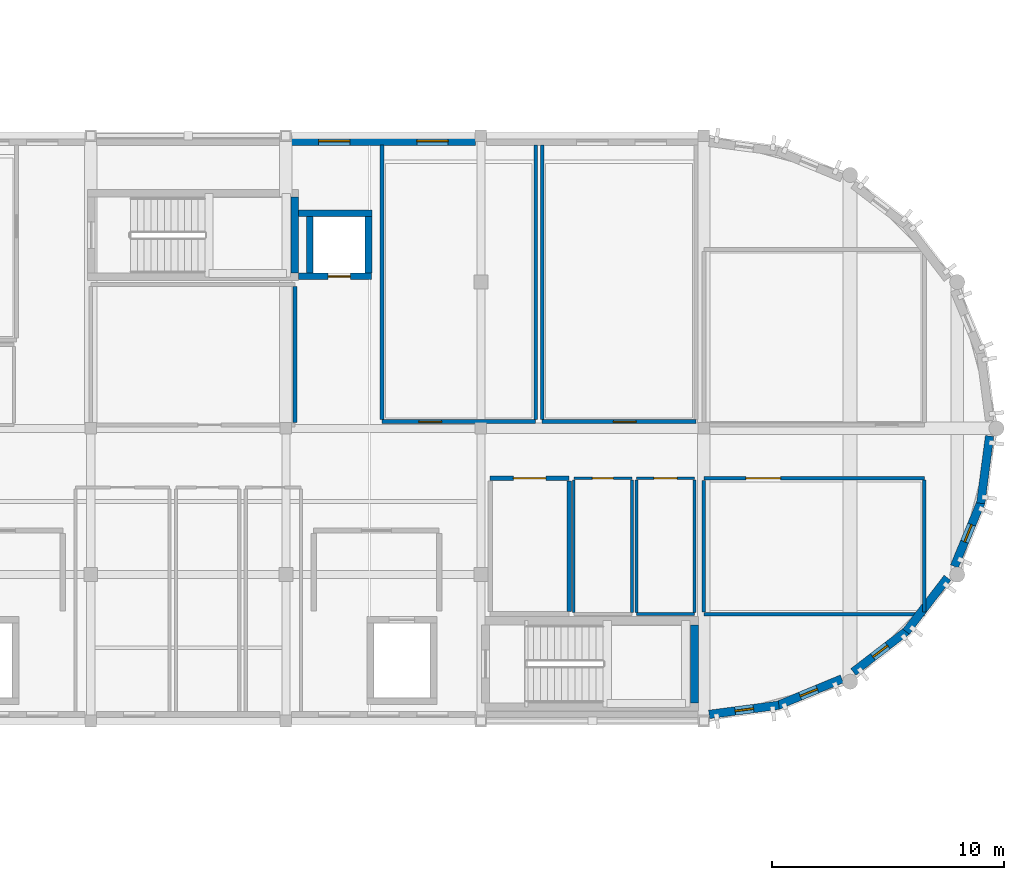
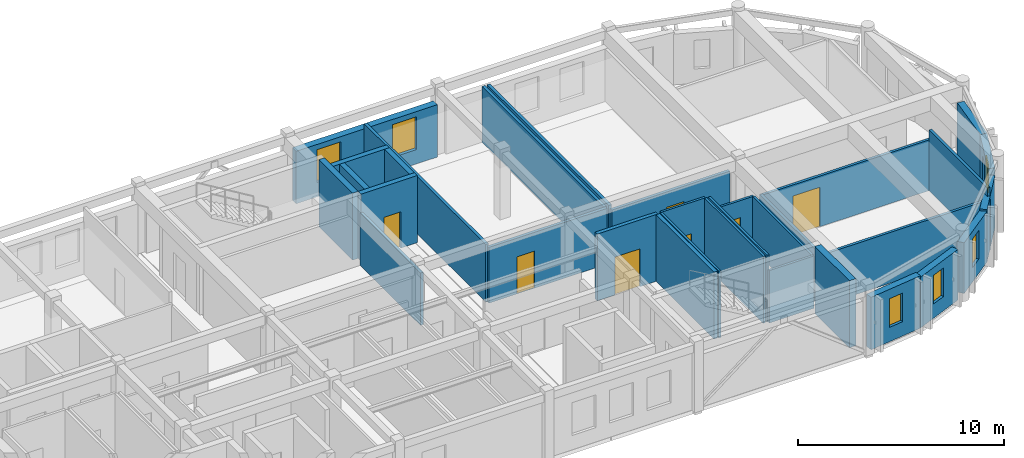
# One storey, part 6 of 12: 32 walls, 7 doors, 6 windows, 13 openings.
"""IFC4 building model written with IfcOpenShell, lengths in metres."""

from ifc_helpers import new_model, si_unit, direction, frame, frame_2d, origin, place, context, subcontext, project, spatial, rectangle, extrude, material, layer, layer_set, type_object, element, fill, save


model = new_model("IFC4")

# Units and contexts
model_context = context("Model", 3, precision=1e-05, world=origin(), true_north=direction((0.0, 1.0)))
body_context = subcontext(model_context, "Body", "Model", "MODEL_VIEW")
ifc_project = project(units=[si_unit("LENGTHUNIT", "METRE"), si_unit("AREAUNIT", "SQUARE_METRE"), si_unit("VOLUMEUNIT", "CUBIC_METRE"), si_unit("PLANEANGLEUNIT", "RADIAN"), si_unit("MASSUNIT", "GRAM", prefix="KILO")], contexts=[model_context])

# Site, building, storey
site_placement = place(None, origin())
site = spatial("IfcSite", under=ifc_project, at=site_placement, CompositionType="ELEMENT")
building_placement = place(site_placement, origin())
building = spatial("IfcBuilding", under=site, at=building_placement, Name="Tarnavel Promenade Courthouse", CompositionType="ELEMENT")
storey_placement = place(building_placement, frame((0.0, 0.0, 27.0)))
storey = spatial("IfcBuildingStorey", under=building, at=storey_placement, Name="L07", CompositionType="ELEMENT", Elevation=27.0)

# Wall
ifc_material_1 = material(Name="Acoustic Insulated Gypsum Stud Partition", Category="gypsum")
ifc_layer_1 = layer(ifc_material_1, 0.1650390625)
ifc_layer_set_1 = layer_set([ifc_layer_1], Name="Acoustic Insulated Gypsum Stud Partition")
wall_type_1 = type_object("IfcWallType", Name="Acoustic Insulated Gypsum Stud Partition WL-CHM-165 (165 mm)", PredefinedType="PARTITIONING", material=ifc_layer_set_1)
wall_1_placement = place(storey_placement, frame((84.39990234375, 97.907470703125, 0.0), z_axis=(0.0, 0.0, 1.0), x_axis=(0.0, -1.0, 0.0)))
element("IfcWall", 1, at=wall_1_placement, inside=storey, type_object=wall_type_1, Name="L07 L07 Judicial Panel Deliberation Salon Partition 0882", PredefinedType="PARTITIONING", context=body_context, shape_type="SweptSolid", body=[
    extrude(rectangle(XDim=5.864990234375, YDim=0.1650390625, at=frame_2d((2.9326171875, 0.0))), origin(), (0.0, 0.0, 1.0), 3.110107421875),
])

# Wall, opening, door
wall_2_placement = place(storey_placement, frame((94.760009765625, 92.090087890625, 0.0), z_axis=(0.0, 0.0, 1.0), x_axis=(-1.0, 0.0, 0.0)))
wall_2 = element("IfcWall", 2, at=wall_2_placement, inside=storey, type_object=wall_type_1, Name="L07 Appellate Judges' Chambers L07 Suite B Partition 0883", PredefinedType="PARTITIONING", context=body_context, shape_type="SweptSolid", body=[
    extrude(rectangle(XDim=6.6201171875, YDim=0.1650390625, at=frame_2d((3.31005859375, 0.0))), origin(), (0.0, 0.0, 1.0), 3.31005859375),
])
opening_1_placement = place(wall_2_placement, frame((4.054931640625, 0.0, 0.0)))
opening_1 = element("IfcOpeningElement", 3, at=opening_1_placement, cuts=wall_2, Name="Opening ID-04", PredefinedType="OPENING", context=body_context, shape_type="SweptSolid", body=[
    extrude(rectangle(XDim=0.97998046875, YDim=2.199951171875, at=frame_2d((0.489990234375, 1.10009765625))), frame((0.0, 0.092529296875, 0.0), z_axis=(0.0, -1.0, 0.0), x_axis=(1.0, 0.0, 0.0)), (0.0, 0.0, 1.0), 0.18505859375),
])
ifc_material_2 = material(Name="Solid Oak Judges Chambers Door")
door_type_1 = type_object("IfcDoorType", Name="Solid Oak Judges Chambers Door (DR-CHM-0980x2200)", OperationType="NOTDEFINED", PredefinedType="DOOR", material=ifc_material_2)
door_1_placement = place(opening_1_placement, origin())
door_1 = element("IfcDoor", 4, at=door_1_placement, inside=storey, type_object=door_type_1, Name="L07 Appellate Judges' Chambers L07 Suite B Door 0252", OperationType="SINGLE_SWING_LEFT", OverallHeight=2.199951171875, OverallWidth=0.97998046875, PredefinedType="DOOR", context=body_context, shape_type="SweptSolid", body=[
    extrude(rectangle(XDim=0.97998046875, YDim=2.199951171875, at=frame_2d((0.489990234375, 1.10009765625))), frame((0.0, 0.02490234375, 0.0), z_axis=(0.0, -1.0, 0.0), x_axis=(1.0, 0.0, 0.0)), (0.0, 0.0, 1.0), 0.050048828125),
])
fill(opening_1, door_1)

# Walls
wall_3_placement = place(storey_placement, frame((88.139892578125, 92.1826171875, 0.0), z_axis=(0.0, 0.0, 1.0), x_axis=(0.0, 1.0, 0.0)))
element("IfcWall", 5, at=wall_3_placement, inside=storey, type_object=wall_type_1, Name="L07 Appellate Judges' Chambers L07 Suite B Partition 0884", PredefinedType="PARTITIONING", context=body_context, shape_type="SweptSolid", body=[
    extrude(rectangle(XDim=11.8134765625, YDim=0.1650390625, at=frame_2d((5.90673828125, 0.0))), origin(), (0.0, 0.0, 1.0), 3.409912109375),
])
wall_4_placement = place(storey_placement, frame((94.760009765625, 103.99609375, 0.0), z_axis=(0.0, 0.0, 1.0), x_axis=(0.0, -1.0, 0.0)))
element("IfcWall", 6, at=wall_4_placement, inside=storey, type_object=wall_type_1, Name="L07 Appellate Judges' Chambers L07 Suite B Partition 0885", PredefinedType="PARTITIONING", context=body_context, shape_type="SweptSolid", body=[
    extrude(rectangle(XDim=11.8134765625, YDim=0.1650390625, at=frame_2d((5.90673828125, 0.0))), origin(), (0.0, 0.0, 1.0), 3.31005859375),
])

# Wall, opening, door
wall_5_placement = place(storey_placement, frame((101.659912109375, 92.090087890625, 0.0), z_axis=(0.0, 0.0, 1.0), x_axis=(-1.0, 0.0, 0.0)))
wall_5 = element("IfcWall", 7, at=wall_5_placement, inside=storey, type_object=wall_type_1, Name="L07 Appellate Judges' Chambers L07 Suite C Partition 0886", PredefinedType="PARTITIONING", context=body_context, shape_type="SweptSolid", body=[
    extrude(rectangle(XDim=6.619873046875, YDim=0.1650390625, at=frame_2d((3.31005859375, 0.0))), origin(), (0.0, 0.0, 1.0), 3.110107421875),
])
opening_2_placement = place(wall_5_placement, frame((2.572998046875, 0.0, 0.0)))
opening_2 = element("IfcOpeningElement", 8, at=opening_2_placement, cuts=wall_5, Name="Opening ID-04", PredefinedType="OPENING", context=body_context, shape_type="SweptSolid", body=[
    extrude(rectangle(XDim=0.97998046875, YDim=2.199951171875, at=frame_2d((0.489990234375, 1.10009765625))), frame((0.0, 0.092529296875, 0.0), z_axis=(0.0, -1.0, 0.0), x_axis=(1.0, 0.0, 0.0)), (0.0, 0.0, 1.0), 0.18505859375),
])
door_2_placement = place(opening_2_placement, origin())
door_2 = element("IfcDoor", 9, at=door_2_placement, inside=storey, type_object=door_type_1, Name="L07 Appellate Judges' Chambers L07 Suite C Door 0253", OperationType="SINGLE_SWING_RIGHT", OverallHeight=2.199951171875, OverallWidth=0.97998046875, PredefinedType="DOOR", context=body_context, shape_type="SweptSolid", body=[
    extrude(rectangle(XDim=0.97998046875, YDim=2.199951171875, at=frame_2d((0.489990234375, 1.10009765625))), frame((0.0, 0.02490234375, 0.0), z_axis=(0.0, -1.0, 0.0), x_axis=(1.0, 0.0, 0.0)), (0.0, 0.0, 1.0), 0.050048828125),
])
fill(opening_2, door_2)

# Wall
wall_6_placement = place(storey_placement, frame((95.0400390625, 92.1826171875, 0.0), z_axis=(0.0, 0.0, 1.0), x_axis=(0.0, 1.0, 0.0)))
element("IfcWall", 10, at=wall_6_placement, inside=storey, type_object=wall_type_1, Name="L07 Appellate Judges' Chambers L07 Suite C Partition 0887", PredefinedType="PARTITIONING", context=body_context, shape_type="SweptSolid", body=[
    extrude(rectangle(XDim=11.8134765625, YDim=0.1650390625, at=frame_2d((5.90673828125, 0.0))), origin(), (0.0, 0.0, 1.0), 3.31005859375),
])

# Wall, opening, door
ifc_layer_2 = layer(ifc_material_1, 0.14990234375)
ifc_layer_set_2 = layer_set([ifc_layer_2], Name="Acoustic Insulated Gypsum Stud Partition")
wall_type_2 = type_object("IfcWallType", Name="Acoustic Insulated Gypsum Stud Partition WL-LIB-150 (150 mm)", PredefinedType="PARTITIONING", material=ifc_layer_set_2)
wall_7_placement = place(storey_placement, frame((102.0, 89.64990234375, 0.0), z_axis=(0.0, 0.0, 1.0), x_axis=(1.0, 0.0, 0.0)))
wall_7 = element("IfcWall", 11, at=wall_7_placement, inside=storey, type_object=wall_type_2, Name="L07 L07 East Drum Collegium Reference Room Partition 0910", PredefinedType="PARTITIONING", context=body_context, shape_type="SweptSolid", body=[
    extrude(rectangle(XDim=9.5, YDim=0.14990234375, at=frame_2d((4.75, 0.0))), origin(), (0.0, 0.0, 1.0), 3.010009765625),
])
opening_3_placement = place(wall_7_placement, frame((1.81005859375, 0.0, 0.0)))
opening_3 = element("IfcOpeningElement", 12, at=opening_3_placement, cuts=wall_7, Name="Opening ID-05", PredefinedType="OPENING", context=body_context, shape_type="SweptSolid", body=[
    extrude(rectangle(XDim=1.5, YDim=2.35009765625, at=frame_2d((0.75, 1.175048828125))), frame((0.0, 0.0849609375, 0.0), z_axis=(0.0, -1.0, 0.0), x_axis=(1.0, 0.0, 0.0)), (0.0, 0.0, 1.0), 0.169921875),
])
ifc_material_3 = material(Name="Glazed Oak Law Library Double Door")
door_type_2 = type_object("IfcDoorType", Name="Glazed Oak Law Library Double Door (DR-LIB-1500x2350)", OperationType="NOTDEFINED", PredefinedType="DOOR", material=ifc_material_3)
door_3_placement = place(opening_3_placement, origin())
door_3 = element("IfcDoor", 13, at=door_3_placement, inside=storey, type_object=door_type_2, Name="L07 L07 East Drum Collegium Reference Room Door 0260", OperationType="DOUBLE_DOOR_SINGLE_SWING", OverallHeight=2.35009765625, OverallWidth=1.5, PredefinedType="DOOR", context=body_context, shape_type="SweptSolid", body=[
    extrude(rectangle(XDim=1.5, YDim=2.35009765625, at=frame_2d((0.75, 1.175048828125))), frame((0.0, 0.02490234375, 0.0), z_axis=(0.0, -1.0, 0.0), x_axis=(1.0, 0.0, 0.0)), (0.0, 0.0, 1.0), 0.050048828125),
])
fill(opening_3, door_3)

# Walls
wall_8_placement = place(storey_placement, frame((111.5, 83.800048828125, 0.0), z_axis=(0.0, 0.0, 1.0), x_axis=(-1.0, 0.0, 0.0)))
element("IfcWall", 14, at=wall_8_placement, inside=storey, type_object=wall_type_2, Name="L07 L07 East Drum Collegium Reference Room Partition 0911", PredefinedType="PARTITIONING", context=body_context, shape_type="SweptSolid", body=[
    extrude(rectangle(XDim=9.5, YDim=0.14990234375, at=frame_2d((4.75, 0.0))), origin(), (0.0, 0.0, 1.0), 3.010009765625),
])
wall_9_placement = place(storey_placement, frame((102.0, 83.885009765625, 0.0), z_axis=(0.0, 0.0, 1.0), x_axis=(0.0, 1.0, 0.0)))
element("IfcWall", 15, at=wall_9_placement, inside=storey, type_object=wall_type_2, Name="L07 L07 East Drum Collegium Reference Room Partition 0912", PredefinedType="PARTITIONING", context=body_context, shape_type="SweptSolid", body=[
    extrude(rectangle(XDim=5.679931640625, YDim=0.14990234375, at=frame_2d((2.83984375, 0.0))), origin(), (0.0, 0.0, 1.0), 3.110107421875),
])
wall_10_placement = place(storey_placement, frame((111.5, 89.56494140625, 0.0), z_axis=(0.0, 0.0, 1.0), x_axis=(0.0, -1.0, 0.0)))
element("IfcWall", 16, at=wall_10_placement, inside=storey, type_object=wall_type_2, Name="L07 L07 East Drum Collegium Reference Room Partition 0913", PredefinedType="PARTITIONING", context=body_context, shape_type="SweptSolid", body=[
    extrude(rectangle(XDim=5.679931640625, YDim=0.14990234375, at=frame_2d((2.83984375, 0.0))), origin(), (0.0, 0.0, 1.0), 3.610107421875),
])
ifc_material_4 = material(Name="Concrete C40/50", Category="concrete")
ifc_layer_3 = layer(ifc_material_4, 0.280029296875)
ifc_layer_set_3 = layer_set([ifc_layer_3], Name="Concrete C40/50")
wall_type_3 = type_object("IfcWallType", Name="Concrete C40/50 WL-SHR-280 (280 mm)", PredefinedType="SHEAR", material=ifc_layer_set_3)
wall_11_placement = place(storey_placement, frame((84.5400390625, 101.06005859375, 0.0), z_axis=(0.0, 0.0, 1.0), x_axis=(1.0, 0.0, 0.0)))
element("IfcWall", 17, at=wall_11_placement, inside=storey, type_object=wall_type_3, Name="L07 L-JUD1 Lift Shaft North Wall", PredefinedType="SHEAR", context=body_context, shape_type="SweptSolid", body=[
    extrude(rectangle(XDim=3.159912109375, YDim=0.280029296875, at=frame_2d((1.580078125, 0.0))), origin(), (0.0, 0.0, 1.0), 3.97998046875),
])

# Wall, opening, door
wall_12_placement = place(storey_placement, frame((87.699951171875, 98.340087890625, 0.0), z_axis=(0.0, 0.0, 1.0), x_axis=(-1.0, 0.0, 0.0)))
wall_12 = element("IfcWall", 18, at=wall_12_placement, inside=storey, type_object=wall_type_3, Name="L07 L-JUD1 Lift Shaft South Wall", PredefinedType="SHEAR", context=body_context, shape_type="SweptSolid", body=[
    extrude(rectangle(XDim=3.159912109375, YDim=0.280029296875, at=frame_2d((1.580078125, 0.0))), origin(), (0.0, 0.0, 1.0), 3.97998046875),
])
opening_4_placement = place(wall_12_placement, frame((0.925048828125, 0.0, 0.0)))
opening_4 = element("IfcOpeningElement", 19, at=opening_4_placement, cuts=wall_12, Name="Opening LD-03", PredefinedType="OPENING", context=body_context, shape_type="SweptSolid", body=[
    extrude(rectangle(XDim=0.949951171875, YDim=2.14990234375, at=frame_2d((0.47509765625, 1.074951171875))), frame((0.0, 0.14990234375, 0.0), z_axis=(0.0, -1.0, 0.0), x_axis=(1.0, 0.0, 0.0)), (0.0, 0.0, 1.0), 0.300048828125),
])
ifc_material_5 = material(Name="Stainless Steel Judicial Lift Landing Sliding Door", Category="steel")
door_type_3 = type_object("IfcDoorType", Name="Stainless Steel Judicial Lift Landing Sliding Door (LD-JUD-0950x2150)", OperationType="NOTDEFINED", PredefinedType="DOOR", material=ifc_material_5)
door_4_placement = place(opening_4_placement, origin())
door_4 = element("IfcDoor", 20, at=door_4_placement, inside=storey, type_object=door_type_3, Name="L07 L-JUD1 Lift Sliding Landing Door", OperationType="DOUBLE_DOOR_SLIDING", OverallHeight=2.14990234375, OverallWidth=0.949951171875, PredefinedType="DOOR", context=body_context, shape_type="SweptSolid", body=[
    extrude(rectangle(XDim=0.949951171875, YDim=2.14990234375, at=frame_2d((0.47509765625, 1.074951171875))), frame((0.0, 0.02490234375, 0.0), z_axis=(0.0, -1.0, 0.0), x_axis=(1.0, 0.0, 0.0)), (0.0, 0.0, 1.0), 0.050048828125),
])
fill(opening_4, door_4)

# Walls
for number, where, z_axis, x_axis, name in (
    (21, (85.0400390625, 98.47998046875, 0.0), (0.0, 0.0, 1.0), (0.0, 1.0, 0.0), "L07 L-JUD1 Lift Shaft West Wall"),
    (22, (87.56005859375, 100.919921875, 0.0), (0.0, 0.0, 1.0), (0.0, -1.0, 0.0), "L07 L-JUD1 Lift Shaft East Wall"),
):
    element("IfcWall", number, at=place(storey_placement, frame(where, z_axis=z_axis, x_axis=x_axis)), inside=storey, type_object=wall_type_3, Name=name, PredefinedType="SHEAR", context=body_context, shape_type="SweptSolid", body=[
        extrude(rectangle(XDim=2.43994140625, YDim=0.280029296875, at=frame_2d((1.219970703125, 0.0))), origin(), (0.0, 0.0, 1.0), 3.97998046875),
    ])
ifc_layer_4 = layer(ifc_material_4, 0.320068359375)
ifc_layer_set_4 = layer_set([ifc_layer_4], Name="Concrete C40/50")
wall_type_4 = type_object("IfcWallType", Name="Concrete C40/50 WL-SHR-320 (320 mm)", PredefinedType="SHEAR", material=ifc_layer_set_4)
wall_13_placement = place(storey_placement, frame((84.3798828125, 101.760009765625, 0.0), z_axis=(0.0, 0.0, 1.0), x_axis=(0.0, -1.0, 0.0)))
element("IfcWall", 23, at=wall_13_placement, inside=storey, type_object=wall_type_4, Name="L07 ST-03 Shear Core East Wall", PredefinedType="SHEAR", context=body_context, shape_type="SweptSolid", body=[
    extrude(rectangle(XDim=3.280029296875, YDim=0.320068359375, at=frame_2d((1.64013671875, 0.0))), origin(), (0.0, 0.0, 1.0), 3.97998046875),
])
ifc_layer_5 = layer(ifc_material_4, 0.360107421875)
ifc_layer_set_5 = layer_set([ifc_layer_5], Name="Concrete C40/50")
wall_type_5 = type_object("IfcWallType", Name="Concrete C40/50 WL-SHR-360 (360 mm)", PredefinedType="SHEAR", material=ifc_layer_set_5)
wall_14_placement = place(storey_placement, frame((101.60009765625, 83.340087890625, 0.0), z_axis=(0.0, 0.0, 1.0), x_axis=(0.0, -1.0, 0.0)))
element("IfcWall", 24, at=wall_14_placement, inside=storey, type_object=wall_type_5, Name="L07 ST-02 Shear Core East Wall", PredefinedType="SHEAR", context=body_context, shape_type="SweptSolid", body=[
    extrude(rectangle(XDim=3.360107421875, YDim=0.360107421875, at=frame_2d((1.68017578125, 0.0))), origin(), (0.0, 0.0, 1.0), 3.97998046875),
])

# Wall, opening, door
ifc_material_6 = material(Name="Concrete Masonry Fire Compartment Wall", Category="masonry")
ifc_layer_6 = layer(ifc_material_6, 0.205078125)
ifc_layer_set_6 = layer_set([ifc_layer_6], Name="Concrete Masonry Fire Compartment Wall")
wall_type_6 = type_object("IfcWallType", Name="Concrete Masonry Fire Compartment Wall WL-CMP-205 (205 mm)", PredefinedType="STANDARD", material=ifc_layer_set_6)
wall_15_placement = place(storey_placement, frame((92.800048828125, 89.64990234375, 0.0), z_axis=(0.0, 0.0, 1.0), x_axis=(1.0, 0.0, 0.0)))
wall_15 = element("IfcWall", 25, at=wall_15_placement, inside=storey, type_object=wall_type_6, Name="L07 L07 Court Transcript Records Room Partition 0868", PredefinedType="STANDARD", context=body_context, shape_type="SweptSolid", body=[
    extrude(rectangle(XDim=3.39990234375, YDim=0.205078125, at=frame_2d((1.699951171875, 0.0))), origin(), (0.0, 0.0, 1.0), 3.965087890625),
])
opening_5_placement = place(wall_15_placement, frame((1.0, 0.0, 0.0)))
opening_5 = element("IfcOpeningElement", 26, at=opening_5_placement, cuts=wall_15, Name="Opening FD-04", PredefinedType="OPENING", context=body_context, shape_type="SweptSolid", body=[
    extrude(rectangle(XDim=1.39990234375, YDim=2.25, at=frame_2d((0.699951171875, 1.125))), frame((0.0, 0.112548828125, 0.0), z_axis=(0.0, -1.0, 0.0), x_axis=(1.0, 0.0, 0.0)), (0.0, 0.0, 1.0), 0.22509765625),
])
ifc_material_7 = material(Name="Heavy Steel Plant Room Fire Door", Category="steel")
door_type_4 = type_object("IfcDoorType", Name="Heavy Steel Plant Room Fire Door (DR-PLT-1400x2250)", OperationType="NOTDEFINED", PredefinedType="DOOR", material=ifc_material_7)
door_5_placement = place(opening_5_placement, origin())
door_5 = element("IfcDoor", 27, at=door_5_placement, inside=storey, type_object=door_type_4, Name="L07 L07 Court Transcript Records Room Door 0248", OperationType="SINGLE_SWING_LEFT", OverallHeight=2.25, OverallWidth=1.39990234375, PredefinedType="DOOR", context=body_context, shape_type="SweptSolid", body=[
    extrude(rectangle(XDim=1.39990234375, YDim=2.25, at=frame_2d((0.699951171875, 1.125))), frame((0.0, 0.02490234375, 0.0), z_axis=(0.0, -1.0, 0.0), x_axis=(1.0, 0.0, 0.0)), (0.0, 0.0, 1.0), 0.050048828125),
])
fill(opening_5, door_5)

# Wall
wall_16_placement = place(storey_placement, frame((96.199951171875, 89.53759765625, 0.0), z_axis=(0.0, 0.0, 1.0), x_axis=(0.0, -1.0, 0.0)))
element("IfcWall", 28, at=wall_16_placement, inside=storey, type_object=wall_type_6, Name="L07 L07 Court Transcript Records Room Partition 0871", PredefinedType="STANDARD", context=body_context, shape_type="SweptSolid", body=[
    extrude(rectangle(XDim=5.625, YDim=0.205078125, at=frame_2d((2.8125, 0.0))), origin(), (0.0, 0.0, 1.0), 3.965087890625),
])

# Wall, openings, windows
ifc_material_8 = material(Name="Cream Brick Insulated Cavity Facade Assembly", Category="masonry")
ifc_layer_7 = layer(ifc_material_8, 0.3798828125)
ifc_layer_set_7 = layer_set([ifc_layer_7], Name="Cream Brick Insulated Cavity Facade Assembly")
wall_type_7 = type_object("IfcWallType", Name="Cream Brick Insulated Cavity Facade Assembly WL-EXT-380 (380 mm)", PredefinedType="STANDARD", material=ifc_layer_set_7)
wall_17_placement = place(storey_placement, frame((84.241943359375, 104.179931640625, 0.0), z_axis=(0.0, 0.0, 1.0), x_axis=(1.0, 0.0, 0.0)))
wall_17 = element("IfcWall", 29, at=wall_17_placement, inside=storey, type_object=wall_type_7, Name="L07 Bar North Limestone Facade 0173", PredefinedType="STANDARD", context=body_context, shape_type="SweptSolid", body=[
    extrude(rectangle(XDim=7.916015625, YDim=0.3798828125, at=frame_2d((3.9580078125, 0.0))), origin(), (0.0, 0.0, 1.0), 3.110107421875),
])
opening_6_placement = place(wall_17_placement, frame((1.169677734375, 0.0, 0.85009765625)))
opening_6 = element("IfcOpeningElement", 30, at=opening_6_placement, cuts=wall_17, Name="Opening W-04", PredefinedType="OPENING", context=body_context, shape_type="SweptSolid", body=[
    extrude(rectangle(XDim=1.35009765625, YDim=1.949951171875, at=frame_2d((0.675048828125, 0.97509765625))), frame((0.0, 0.199951171875, 0.0), z_axis=(0.0, -1.0, 0.0), x_axis=(1.0, 0.0, 0.0)), (0.0, 0.0, 1.0), 0.39990234375),
])
opening_7_placement = place(wall_17_placement, frame((5.396240234375, 0.0, 0.85009765625)))
opening_7 = element("IfcOpeningElement", 31, at=opening_7_placement, cuts=wall_17, Name="Opening W-04", PredefinedType="OPENING", context=body_context, shape_type="SweptSolid", body=[
    extrude(rectangle(XDim=1.35009765625, YDim=1.949951171875, at=frame_2d((0.675048828125, 0.97509765625))), frame((0.0, 0.199951171875, 0.0), z_axis=(0.0, -1.0, 0.0), x_axis=(1.0, 0.0, 0.0)), (0.0, 0.0, 1.0), 0.39990234375),
])
ifc_material_9 = material(Name="Triple Low-E Glazed Bronze-Clad Window Assembly")
window_type_1 = type_object("IfcWindowType", Name="Triple-Glazed Bronze-Clad Timber-Aluminium WIN-CHM-1350x1950", PartitioningType="SINGLE_PANEL", PredefinedType="WINDOW", material=ifc_material_9)
window_1_placement = place(opening_6_placement, origin())
window_1 = element("IfcWindow", 32, at=window_1_placement, inside=storey, type_object=window_type_1, Name="L07 Exterior Window 0139", OverallHeight=1.949951171875, OverallWidth=1.35009765625, PartitioningType="SINGLE_PANEL", PredefinedType="WINDOW", context=body_context, shape_type="SweptSolid", body=[
    extrude(rectangle(XDim=1.35009765625, YDim=1.949951171875, at=frame_2d((0.675048828125, 0.97509765625))), frame((0.0, 0.030029296875, 0.0), z_axis=(0.0, -1.0, 0.0), x_axis=(1.0, 0.0, 0.0)), (0.0, 0.0, 1.0), 0.06005859375),
])
fill(opening_6, window_1)
window_2_placement = place(opening_7_placement, origin())
window_2 = element("IfcWindow", 33, at=window_2_placement, inside=storey, type_object=window_type_1, Name="L07 Exterior Window 0140", OverallHeight=1.949951171875, OverallWidth=1.35009765625, PartitioningType="SINGLE_PANEL", PredefinedType="WINDOW", context=body_context, shape_type="SweptSolid", body=[
    extrude(rectangle(XDim=1.35009765625, YDim=1.949951171875, at=frame_2d((0.675048828125, 0.97509765625))), frame((0.0, 0.030029296875, 0.0), z_axis=(0.0, -1.0, 0.0), x_axis=(1.0, 0.0, 0.0)), (0.0, 0.0, 1.0), 0.06005859375),
])
fill(opening_7, window_2)

# Wall, opening, door
ifc_material_10 = material(Name="Moisture-Resistant Tile-Backed Stud Partition", Category="gypsum")
ifc_layer_8 = layer(ifc_material_10, 0.125)
ifc_layer_set_8 = layer_set([ifc_layer_8], Name="Moisture-Resistant Tile-Backed Stud Partition")
wall_type_8 = type_object("IfcWallType", Name="Moisture-Resistant Tile-Backed Stud Partition WL-WET-125 (125 mm)", PredefinedType="PARTITIONING", material=ifc_layer_set_8)
wall_18_placement = place(storey_placement, frame((96.39990234375, 89.64990234375, 0.0), z_axis=(0.0, 0.0, 1.0), x_axis=(1.0, 0.0, 0.0)))
wall_18 = element("IfcWall", 34, at=wall_18_placement, inside=storey, type_object=wall_type_8, Name="L07 Staff WC Partition 0856", PredefinedType="PARTITIONING", context=body_context, shape_type="SweptSolid", body=[
    extrude(rectangle(XDim=2.5, YDim=0.125, at=frame_2d((1.25, 0.0))), origin(), (0.0, 0.0, 1.0), 3.965087890625),
])
opening_8_placement = place(wall_18_placement, frame((0.800048828125, 0.0, 0.0)))
opening_8 = element("IfcOpeningElement", 35, at=opening_8_placement, cuts=wall_18, Name="Opening ID-08", PredefinedType="OPENING", context=body_context, shape_type="SweptSolid", body=[
    extrude(rectangle(XDim=0.89990234375, YDim=2.10009765625, at=frame_2d((0.449951171875, 1.050048828125))), frame((0.0, 0.072509765625, 0.0), z_axis=(0.0, -1.0, 0.0), x_axis=(1.0, 0.0, 0.0)), (0.0, 0.0, 1.0), 0.14501953125),
])
ifc_material_11 = material(Name="Moisture-Resistant Laminate Restroom Door")
door_type_5 = type_object("IfcDoorType", Name="Moisture-Resistant Laminate Restroom Door (DR-WC-0900x2100)", OperationType="NOTDEFINED", PredefinedType="DOOR", material=ifc_material_11)
door_6_placement = place(opening_8_placement, origin())
door_6 = element("IfcDoor", 36, at=door_6_placement, inside=storey, type_object=door_type_5, Name="L07 Staff WC Door 0245", OperationType="SINGLE_SWING_RIGHT", OverallHeight=2.10009765625, OverallWidth=0.89990234375, PredefinedType="DOOR", context=body_context, shape_type="SweptSolid", body=[
    extrude(rectangle(XDim=0.89990234375, YDim=2.10009765625, at=frame_2d((0.449951171875, 1.050048828125))), frame((0.0, 0.02490234375, 0.0), z_axis=(0.0, -1.0, 0.0), x_axis=(1.0, 0.0, 0.0)), (0.0, 0.0, 1.0), 0.050048828125),
])
fill(opening_8, door_6)

# Walls
for number, where, z_axis, x_axis, name in (
    (37, (96.39990234375, 83.87255859375, 0.0), (0.0, 0.0, 1.0), (0.0, 1.0, 0.0), "L07 Staff WC Partition 0858"),
    (38, (98.89990234375, 89.577392578125, 0.0), (0.0, 0.0, 1.0), (0.0, -1.0, 0.0), "L07 Staff WC Partition 0859"),
):
    element("IfcWall", number, at=place(storey_placement, frame(where, z_axis=z_axis, x_axis=x_axis)), inside=storey, type_object=wall_type_8, Name=name, PredefinedType="PARTITIONING", context=body_context, shape_type="SweptSolid", body=[
        extrude(rectangle(XDim=5.704833984375, YDim=0.125, at=frame_2d((2.8525390625, 0.0))), origin(), (0.0, 0.0, 1.0), 3.965087890625),
    ])

# Wall, opening, door
wall_19_placement = place(storey_placement, frame((99.10009765625, 89.64990234375, 0.0), z_axis=(0.0, 0.0, 1.0), x_axis=(1.0, 0.0, 0.0)))
wall_19 = element("IfcWall", 39, at=wall_19_placement, inside=storey, type_object=wall_type_8, Name="L07 Accessible Staff WC Partition 0860", PredefinedType="PARTITIONING", context=body_context, shape_type="SweptSolid", body=[
    extrude(rectangle(XDim=2.5, YDim=0.125, at=frame_2d((1.25, 0.0))), origin(), (0.0, 0.0, 1.0), 3.110107421875),
])
opening_9_placement = place(wall_19_placement, frame((0.75, 0.0, 0.0)))
opening_9 = element("IfcOpeningElement", 40, at=opening_9_placement, cuts=wall_19, Name="Opening ID-09", PredefinedType="OPENING", context=body_context, shape_type="SweptSolid", body=[
    extrude(rectangle(XDim=1.0, YDim=2.10009765625, at=frame_2d((0.5, 1.050048828125))), frame((0.0, 0.072509765625, 0.0), z_axis=(0.0, -1.0, 0.0), x_axis=(1.0, 0.0, 0.0)), (0.0, 0.0, 1.0), 0.14501953125),
])
ifc_material_12 = material(Name="Wide Accessible Restroom Outward Door")
door_type_6 = type_object("IfcDoorType", Name="Wide Accessible Restroom Outward Door (DR-AWC-1000x2100)", OperationType="NOTDEFINED", PredefinedType="DOOR", material=ifc_material_12)
door_7_placement = place(opening_9_placement, origin())
door_7 = element("IfcDoor", 41, at=door_7_placement, inside=storey, type_object=door_type_6, Name="L07 Accessible Staff WC Door 0246", OperationType="SINGLE_SWING_LEFT", OverallHeight=2.10009765625, OverallWidth=1.0, PredefinedType="DOOR", context=body_context, shape_type="SweptSolid", body=[
    extrude(rectangle(XDim=1.0, YDim=2.10009765625, at=frame_2d((0.5, 1.050048828125))), frame((0.0, 0.02490234375, 0.0), z_axis=(0.0, -1.0, 0.0), x_axis=(1.0, 0.0, 0.0)), (0.0, 0.0, 1.0), 0.050048828125),
])
fill(opening_9, door_7)

# Walls
wall_20_placement = place(storey_placement, frame((101.60009765625, 83.800048828125, 0.0), z_axis=(0.0, 0.0, 1.0), x_axis=(-1.0, 0.0, 0.0)))
element("IfcWall", 42, at=wall_20_placement, inside=storey, type_object=wall_type_8, Name="L07 Accessible Staff WC Partition 0861", PredefinedType="PARTITIONING", context=body_context, shape_type="SweptSolid", body=[
    extrude(rectangle(XDim=2.5, YDim=0.125, at=frame_2d((1.25, 0.0))), origin(), (0.0, 0.0, 1.0), 3.110107421875),
])
wall_21_placement = place(storey_placement, frame((99.10009765625, 83.87255859375, 0.0), z_axis=(0.0, 0.0, 1.0), x_axis=(0.0, 1.0, 0.0)))
element("IfcWall", 43, at=wall_21_placement, inside=storey, type_object=wall_type_8, Name="L07 Accessible Staff WC Partition 0862", PredefinedType="PARTITIONING", context=body_context, shape_type="SweptSolid", body=[
    extrude(rectangle(XDim=5.704833984375, YDim=0.125, at=frame_2d((2.8525390625, 0.0))), origin(), (0.0, 0.0, 1.0), 3.965087890625),
])
wall_22_placement = place(storey_placement, frame((101.60009765625, 89.577392578125, 0.0), z_axis=(0.0, 0.0, 1.0), x_axis=(0.0, -1.0, 0.0)))
element("IfcWall", 44, at=wall_22_placement, inside=storey, type_object=wall_type_8, Name="L07 Accessible Staff WC Partition 0863", PredefinedType="PARTITIONING", context=body_context, shape_type="SweptSolid", body=[
    extrude(rectangle(XDim=5.704833984375, YDim=0.125, at=frame_2d((2.8525390625, 0.0))), origin(), (0.0, 0.0, 1.0), 3.110107421875),
])

# Wall, opening, window
ifc_material_13 = material(Name="Patinated Copper-Bronze Insulated Drum Wall Assembly", Category="masonry")
ifc_layer_9 = layer(ifc_material_13, 0.364990234375)
ifc_layer_set_9 = layer_set([ifc_layer_9], Name="Patinated Copper-Bronze Insulated Drum Wall Assembly")
wall_type_9 = type_object("IfcWallType", Name="Patinated Copper-Bronze Insulated Drum Wall Assembly WL-DRUM-365 (365 mm)", PredefinedType="ELEMENTEDWALL", material=ifc_layer_set_9)
wall_23_placement = place(storey_placement, frame((102.22705078125, 79.48193359375, 0.0), z_axis=(0.0, 0.0, 1.0), x_axis=(0.991440016295, 0.130562988969, 0.0)))
wall_23 = element("IfcWall", 45, at=wall_23_placement, inside=storey, type_object=wall_type_9, Name="L07 E Copper Drum Chord Wall 01 0192", PredefinedType="ELEMENTEDWALL", context=body_context, shape_type="SweptSolid", body=[
    extrude(rectangle(XDim=3.02734375, YDim=0.364990234375, at=frame_2d((1.513671875, 0.0))), origin(), (0.0, 0.0, 1.0), 3.110107421875),
])
opening_10_placement = place(wall_23_placement, frame((1.127685546875, 0.0, 0.85009765625)))
opening_10 = element("IfcOpeningElement", 46, at=opening_10_placement, cuts=wall_23, Name="Opening W-09", PredefinedType="OPENING", context=body_context, shape_type="SweptSolid", body=[
    extrude(rectangle(XDim=0.800048828125, YDim=1.699951171875, at=frame_2d((0.39990234375, 0.85009765625))), frame((0.0, 0.1923828125, 0.0), z_axis=(0.0, -1.0, 0.0), x_axis=(1.0, 0.0, 0.0)), (0.0, 0.0, 1.0), 0.385009765625),
])
window_type_2 = type_object("IfcWindowType", Name="Triple-Glazed Bronze-Clad Timber-Aluminium WIN-DRM-0800x1700", PartitioningType="SINGLE_PANEL", PredefinedType="WINDOW", material=ifc_material_9)
window_3_placement = place(opening_10_placement, origin())
window_3 = element("IfcWindow", 47, at=window_3_placement, inside=storey, type_object=window_type_2, Name="L07 Exterior Window 0158", OverallHeight=1.699951171875, OverallWidth=0.800048828125, PartitioningType="SINGLE_PANEL", PredefinedType="WINDOW", context=body_context, shape_type="SweptSolid", body=[
    extrude(rectangle(XDim=0.800048828125, YDim=1.699951171875, at=frame_2d((0.39990234375, 0.85009765625))), frame((0.0, 0.030029296875, 0.0), z_axis=(0.0, -1.0, 0.0), x_axis=(1.0, 0.0, 0.0)), (0.0, 0.0, 1.0), 0.06005859375),
])
fill(opening_10, window_3)

wall_24_placement = place(storey_placement, frame((105.16552734375, 79.8603515625, 0.0), z_axis=(0.0, 0.0, 1.0), x_axis=(0.923872366395, 0.382700732442, 0.0)))
wall_24 = element("IfcWall", 48, at=wall_24_placement, inside=storey, type_object=wall_type_9, Name="L07 E Copper Drum Chord Wall 02 0193", PredefinedType="ELEMENTEDWALL", context=body_context, shape_type="SweptSolid", body=[
    extrude(rectangle(XDim=3.00732421875, YDim=0.364990234375, at=frame_2d((1.503662109375, 0.0))), origin(), (0.0, 0.0, 1.0), 3.010009765625),
])
opening_11_placement = place(wall_24_placement, frame((1.06201171875, 0.0, 0.85009765625)))
opening_11 = element("IfcOpeningElement", 49, at=opening_11_placement, cuts=wall_24, Name="Opening W-09", PredefinedType="OPENING", context=body_context, shape_type="SweptSolid", body=[
    extrude(rectangle(XDim=0.800048828125, YDim=1.699951171875, at=frame_2d((0.39990234375, 0.85009765625))), frame((0.0, 0.1923828125, 0.0), z_axis=(0.0, -1.0, 0.0), x_axis=(1.0, 0.0, 0.0)), (0.0, 0.0, 1.0), 0.385009765625),
])
window_4_placement = place(opening_11_placement, origin())
window_4 = element("IfcWindow", 50, at=window_4_placement, inside=storey, type_object=window_type_2, Name="L07 Exterior Window 0159", OverallHeight=1.699951171875, OverallWidth=0.800048828125, PartitioningType="SINGLE_PANEL", PredefinedType="WINDOW", context=body_context, shape_type="SweptSolid", body=[
    extrude(rectangle(XDim=0.800048828125, YDim=1.699951171875, at=frame_2d((0.39990234375, 0.85009765625))), frame((0.0, 0.030029296875, 0.0), z_axis=(0.0, -1.0, 0.0), x_axis=(1.0, 0.0, 0.0)), (0.0, 0.0, 1.0), 0.06005859375),
])
fill(opening_11, window_4)

wall_25_placement = place(storey_placement, frame((108.4375, 81.30859375, 0.0), z_axis=(0.0, 0.0, 1.0), x_axis=(0.793318703663, 0.608806565682, 0.0)))
wall_25 = element("IfcWall", 51, at=wall_25_placement, inside=storey, type_object=wall_type_9, Name="L07 E Copper Drum Chord Wall 03 0194", PredefinedType="ELEMENTEDWALL", context=body_context, shape_type="SweptSolid", body=[
    extrude(rectangle(XDim=2.92431640625, YDim=0.364990234375, at=frame_2d((1.462158203125, 0.0))), origin(), (0.0, 0.0, 1.0), 3.010009765625),
])
opening_12_placement = place(wall_25_placement, frame((1.06201171875, 0.0, 0.85009765625)))
opening_12 = element("IfcOpeningElement", 52, at=opening_12_placement, cuts=wall_25, Name="Opening W-09", PredefinedType="OPENING", context=body_context, shape_type="SweptSolid", body=[
    extrude(rectangle(XDim=0.800048828125, YDim=1.699951171875, at=frame_2d((0.39990234375, 0.85009765625))), frame((0.0, 0.1923828125, 0.0), z_axis=(0.0, -1.0, 0.0), x_axis=(1.0, 0.0, 0.0)), (0.0, 0.0, 1.0), 0.385009765625),
])
window_5_placement = place(opening_12_placement, origin())
window_5 = element("IfcWindow", 53, at=window_5_placement, inside=storey, type_object=window_type_2, Name="L07 Exterior Window 0160", OverallHeight=1.699951171875, OverallWidth=0.800048828125, PartitioningType="SINGLE_PANEL", PredefinedType="WINDOW", context=body_context, shape_type="SweptSolid", body=[
    extrude(rectangle(XDim=0.800048828125, YDim=1.699951171875, at=frame_2d((0.39990234375, 0.85009765625))), frame((0.0, 0.030029296875, 0.0), z_axis=(0.0, -1.0, 0.0), x_axis=(1.0, 0.0, 0.0)), (0.0, 0.0, 1.0), 0.06005859375),
])
fill(opening_12, window_5)

# Wall
wall_26_placement = place(storey_placement, frame((110.711181640625, 83.04248046875, 0.0), z_axis=(0.0, 0.0, 1.0), x_axis=(0.60876624393, 0.793349645649, 0.0)))
element("IfcWall", 54, at=wall_26_placement, inside=storey, type_object=wall_type_9, Name="L07 E Copper Drum Chord Wall 04 0195", PredefinedType="ELEMENTEDWALL", context=body_context, shape_type="SweptSolid", body=[
    extrude(rectangle(XDim=2.92431640625, YDim=0.364990234375, at=frame_2d((1.462158203125, 0.0))), origin(), (0.0, 0.0, 1.0), 3.110107421875),
])

# Wall, opening, window
wall_27_placement = place(storey_placement, frame((112.788818359375, 85.856201171875, 0.0), z_axis=(0.0, 0.0, 1.0), x_axis=(0.382700732442, 0.923872366395, 0.0)))
wall_27 = element("IfcWall", 55, at=wall_27_placement, inside=storey, type_object=wall_type_9, Name="L07 E Copper Drum Chord Wall 05 0196", PredefinedType="ELEMENTEDWALL", context=body_context, shape_type="SweptSolid", body=[
    extrude(rectangle(XDim=3.00732421875, YDim=0.364990234375, at=frame_2d((1.503662109375, 0.0))), origin(), (0.0, 0.0, 1.0), 3.110107421875),
])
opening_13_placement = place(wall_27_placement, frame((1.14501953125, 0.0, 0.85009765625)))
opening_13 = element("IfcOpeningElement", 56, at=opening_13_placement, cuts=wall_27, Name="Opening W-09", PredefinedType="OPENING", context=body_context, shape_type="SweptSolid", body=[
    extrude(rectangle(XDim=0.800048828125, YDim=1.699951171875, at=frame_2d((0.39990234375, 0.85009765625))), frame((0.0, 0.1923828125, 0.0), z_axis=(0.0, -1.0, 0.0), x_axis=(1.0, 0.0, 0.0)), (0.0, 0.0, 1.0), 0.385009765625),
])
window_6_placement = place(opening_13_placement, origin())
window_6 = element("IfcWindow", 57, at=window_6_placement, inside=storey, type_object=window_type_2, Name="L07 Exterior Window 0161", OverallHeight=1.699951171875, OverallWidth=0.800048828125, PartitioningType="SINGLE_PANEL", PredefinedType="WINDOW", context=body_context, shape_type="SweptSolid", body=[
    extrude(rectangle(XDim=0.800048828125, YDim=1.699951171875, at=frame_2d((0.39990234375, 0.85009765625))), frame((0.0, 0.030029296875, 0.0), z_axis=(0.0, -1.0, 0.0), x_axis=(1.0, 0.0, 0.0)), (0.0, 0.0, 1.0), 0.06005859375),
])
fill(opening_13, window_6)

# Wall
wall_28_placement = place(storey_placement, frame((113.9228515625, 88.571533203125, 0.0), z_axis=(0.0, 0.0, 1.0), x_axis=(0.13049554724, 0.99144889538, 0.0)))
element("IfcWall", 58, at=wall_28_placement, inside=storey, type_object=wall_type_9, Name="L07 E Copper Drum Chord Wall 06 0197", PredefinedType="ELEMENTEDWALL", context=body_context, shape_type="SweptSolid", body=[
    extrude(rectangle(XDim=2.924072265625, YDim=0.364990234375, at=frame_2d((1.4619140625, 0.0))), origin(), (0.0, 0.0, 1.0), 3.110107421875),
])

save(model, "model.ifc")
